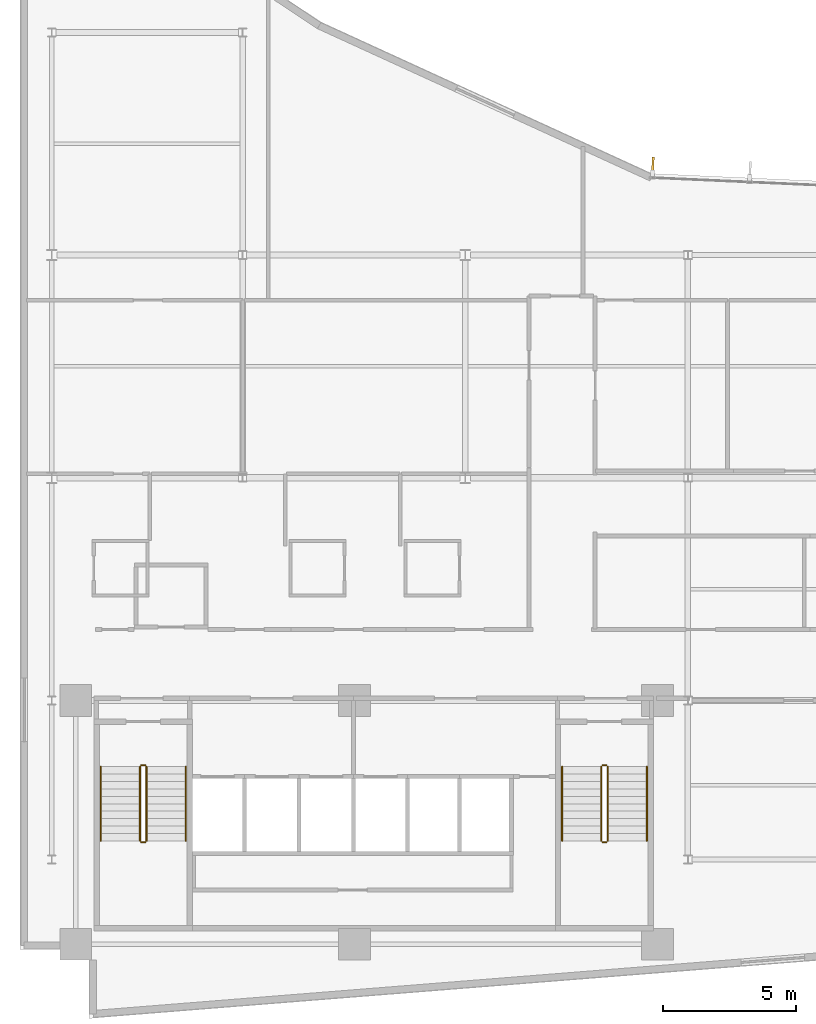
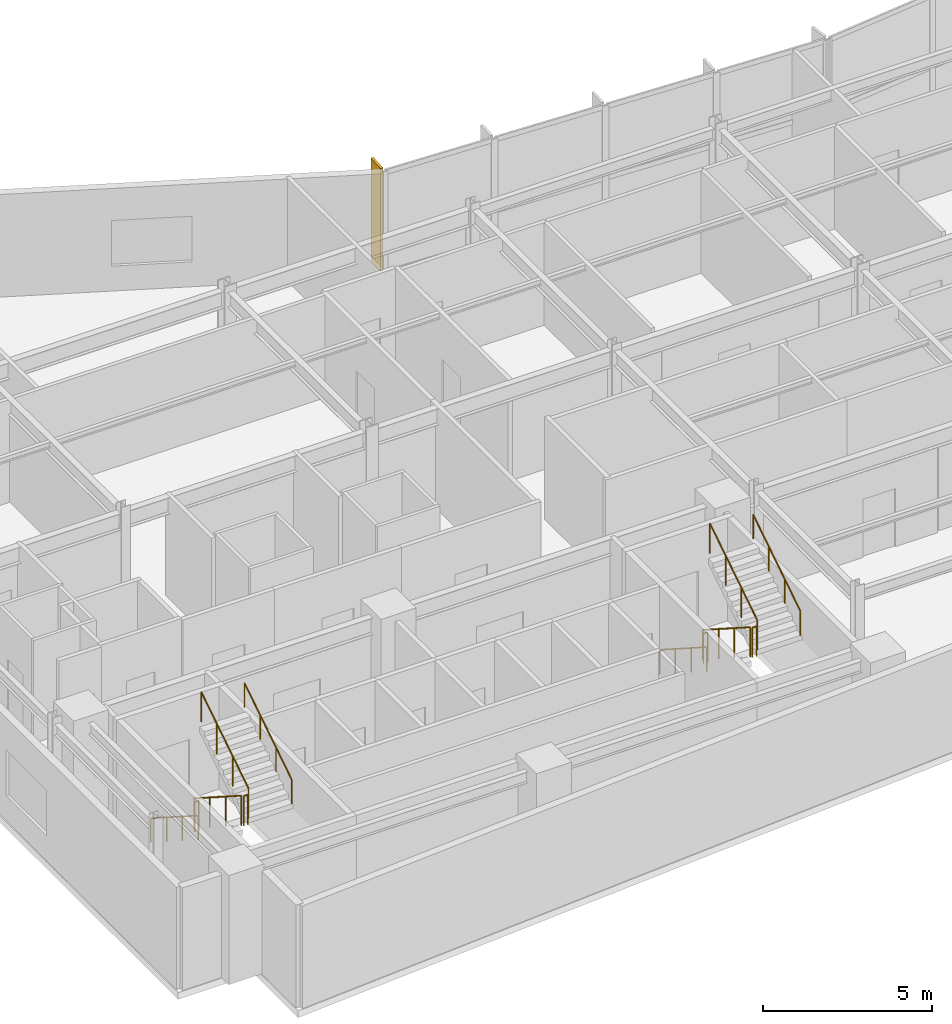
# One storey, part 14 of 18: 12 railings, 1 shading device.
"""IFC4 building model written with IfcOpenShell, lengths in metres."""

from ifc_helpers import new_model, si_unit, direction, frame, origin, origin_2d, place, context, subcontext, project, spatial, rectangle, circle, extrude, material, layer, layer_set, type_object, element, save


model = new_model("IFC4")

# Units and contexts
model_context = context("Model", 3, precision=1e-05, world=origin(), true_north=direction((0.0, 1.0)))
body_context = subcontext(model_context, "Body", "Model", "MODEL_VIEW")
ifc_project = project(units=[si_unit("LENGTHUNIT", "METRE"), si_unit("AREAUNIT", "SQUARE_METRE"), si_unit("VOLUMEUNIT", "CUBIC_METRE"), si_unit("PLANEANGLEUNIT", "RADIAN"), si_unit("MASSUNIT", "GRAM", prefix="KILO")], contexts=[model_context])

# Site, building, storey
site_placement = place(None, origin())
site = spatial("IfcSite", under=ifc_project, at=site_placement, CompositionType="ELEMENT")
building_placement = place(site_placement, origin())
building = spatial("IfcBuilding", under=site, at=building_placement, Name="Varnakote Quay Hospital", CompositionType="ELEMENT")
storey_placement = place(building_placement, frame((0.0, 0.0, 154.699951171875)))
storey = spatial("IfcBuildingStorey", under=building, at=storey_placement, Name="L38", CompositionType="ELEMENT", Elevation=154.699951171875)

# Railings
ifc_material_1 = material(Name="Brushed stainless steel balustrade", Category="steel")
railing_type_1 = type_object("IfcRailingType", Name="RLG-STAIR-GUARD-1150", PredefinedType="GUARDRAIL", material=ifc_material_1)
railing_1_placement = place(storey_placement, frame((4.530029296875, 9.5, 0.1796875)))
element("IfcRailing", 1, at=railing_1_placement, inside=storey, type_object=railing_type_1, Name="L38 ST-01 stair guard 1", PredefinedType="GUARDRAIL", context=body_context, shape_type="SweptSolid", body=[
    extrude(circle(Radius=0.02392578125, at=origin_2d()), frame((0.0, 0.0, 1.076171875), z_axis=(0.0, -0.841809871826, 0.539774156196), x_axis=(1.0, 0.0, 0.0)), (0.0, 0.0, 1.0), 3.326171875),
    extrude(circle(Radius=0.02099609375, at=origin_2d()), origin(), (0.0, 0.0, 1.0), 1.052001953125),
    extrude(circle(Radius=0.02099609375, at=origin_2d()), frame((0.0, -0.933349609375, 0.598388671875)), (0.0, 0.0, 1.0), 1.052001953125),
    extrude(circle(Radius=0.02099609375, at=origin_2d()), frame((0.0, -1.86669921875, 1.197021484375)), (0.0, 0.0, 1.0), 1.052001953125),
    extrude(circle(Radius=0.02099609375, at=origin_2d()), frame((0.0, -2.800048828125, 1.79541015625)), (0.0, 0.0, 1.0), 1.052001953125),
])
railing_2_placement = place(storey_placement, frame((4.580078125, 6.64990234375, 1.97509765625)))
element("IfcRailing", 2, at=railing_2_placement, inside=storey, type_object=railing_type_1, Name="L38 ST-01 stair guard 2", PredefinedType="GUARDRAIL", context=body_context, shape_type="SweptSolid", body=[
    extrude(circle(Radius=0.02392578125, at=origin_2d()), frame((0.0, 0.0, 1.076171875), z_axis=(1.0, 0.0, 0.0), x_axis=(0.0, 1.0, 0.0)), (0.0, 0.0, 1.0), 0.139892578125),
    extrude(circle(Radius=0.02099609375, at=origin_2d()), origin(), (0.0, 0.0, 1.0), 1.052001953125),
    extrude(circle(Radius=0.02099609375, at=origin_2d()), frame((0.139892578125, 0.0, 0.0)), (0.0, 0.0, 1.0), 1.052001953125),
])
railing_3_placement = place(storey_placement, frame((4.77001953125, 6.699951171875, 2.154541015625)))
element("IfcRailing", 3, at=railing_3_placement, inside=storey, type_object=railing_type_1, Name="L38 ST-01 stair guard 3", PredefinedType="GUARDRAIL", context=body_context, shape_type="SweptSolid", body=[
    extrude(circle(Radius=0.02392578125, at=origin_2d()), frame((0.0, 0.0, 1.076171875), z_axis=(0.0, 0.841809871826, 0.539774156196), x_axis=(-1.0, 0.0, 0.0)), (0.0, 0.0, 1.0), 3.326171875),
    extrude(circle(Radius=0.02099609375, at=origin_2d()), origin(), (0.0, 0.0, 1.0), 1.052001953125),
    extrude(circle(Radius=0.02099609375, at=origin_2d()), frame((0.0, 0.933349609375, 0.598388671875)), (0.0, 0.0, 1.0), 1.052001953125),
    extrude(circle(Radius=0.02099609375, at=origin_2d()), frame((0.0, 1.86669921875, 1.197021484375)), (0.0, 0.0, 1.0), 1.052001953125),
    extrude(circle(Radius=0.02099609375, at=origin_2d()), frame((0.0, 2.800048828125, 1.79541015625)), (0.0, 0.0, 1.0), 1.052001953125),
])
railing_4_placement = place(storey_placement, frame((4.580078125, 9.550048828125, 0.0)))
element("IfcRailing", 4, at=railing_4_placement, inside=storey, type_object=railing_type_1, Name="L38 ST-01 stair guard 4", PredefinedType="GUARDRAIL", context=body_context, shape_type="SweptSolid", body=[
    extrude(circle(Radius=0.02392578125, at=origin_2d()), frame((0.0, 0.0, 1.076171875), z_axis=(1.0, 0.0, 0.0), x_axis=(0.0, 1.0, 0.0)), (0.0, 0.0, 1.0), 0.139892578125),
    extrude(circle(Radius=0.02099609375, at=origin_2d()), origin(), (0.0, 0.0, 1.0), 1.052001953125),
    extrude(circle(Radius=0.02099609375, at=origin_2d()), frame((0.139892578125, 0.0, 0.0)), (0.0, 0.0, 1.0), 1.052001953125),
])
railing_5_placement = place(storey_placement, frame((21.929931640625, 9.5, 0.1796875)))
element("IfcRailing", 5, at=railing_5_placement, inside=storey, type_object=railing_type_1, Name="L38 ST-02 stair guard 1", PredefinedType="GUARDRAIL", context=body_context, shape_type="SweptSolid", body=[
    extrude(circle(Radius=0.02392578125, at=origin_2d()), frame((0.0, 0.0, 1.076171875), z_axis=(0.0, -0.841809871826, 0.539774156196), x_axis=(1.0, 0.0, 0.0)), (0.0, 0.0, 1.0), 3.326171875),
    extrude(circle(Radius=0.02099609375, at=origin_2d()), origin(), (0.0, 0.0, 1.0), 1.052001953125),
    extrude(circle(Radius=0.02099609375, at=origin_2d()), frame((0.0, -0.933349609375, 0.598388671875)), (0.0, 0.0, 1.0), 1.052001953125),
    extrude(circle(Radius=0.02099609375, at=origin_2d()), frame((0.0, -1.86669921875, 1.197021484375)), (0.0, 0.0, 1.0), 1.052001953125),
    extrude(circle(Radius=0.02099609375, at=origin_2d()), frame((0.0, -2.800048828125, 1.79541015625)), (0.0, 0.0, 1.0), 1.052001953125),
])
railing_6_placement = place(storey_placement, frame((21.97998046875, 6.64990234375, 1.97509765625)))
element("IfcRailing", 6, at=railing_6_placement, inside=storey, type_object=railing_type_1, Name="L38 ST-02 stair guard 2", PredefinedType="GUARDRAIL", context=body_context, shape_type="SweptSolid", body=[
    extrude(circle(Radius=0.02392578125, at=origin_2d()), frame((0.0, 0.0, 1.076171875), z_axis=(1.0, 0.0, 0.0), x_axis=(0.0, 1.0, 0.0)), (0.0, 0.0, 1.0), 0.14013671875),
    extrude(circle(Radius=0.02099609375, at=origin_2d()), origin(), (0.0, 0.0, 1.0), 1.052001953125),
    extrude(circle(Radius=0.02099609375, at=origin_2d()), frame((0.14013671875, 0.0, 0.0)), (0.0, 0.0, 1.0), 1.052001953125),
])
railing_7_placement = place(storey_placement, frame((22.169921875, 6.699951171875, 2.154541015625)))
element("IfcRailing", 7, at=railing_7_placement, inside=storey, type_object=railing_type_1, Name="L38 ST-02 stair guard 3", PredefinedType="GUARDRAIL", context=body_context, shape_type="SweptSolid", body=[
    extrude(circle(Radius=0.02392578125, at=origin_2d()), frame((0.0, 0.0, 1.076171875), z_axis=(0.0, 0.841809871826, 0.539774156196), x_axis=(-1.0, 0.0, 0.0)), (0.0, 0.0, 1.0), 3.326171875),
    extrude(circle(Radius=0.02099609375, at=origin_2d()), origin(), (0.0, 0.0, 1.0), 1.052001953125),
    extrude(circle(Radius=0.02099609375, at=origin_2d()), frame((0.0, 0.933349609375, 0.598388671875)), (0.0, 0.0, 1.0), 1.052001953125),
    extrude(circle(Radius=0.02099609375, at=origin_2d()), frame((0.0, 1.86669921875, 1.197021484375)), (0.0, 0.0, 1.0), 1.052001953125),
    extrude(circle(Radius=0.02099609375, at=origin_2d()), frame((0.0, 2.800048828125, 1.79541015625)), (0.0, 0.0, 1.0), 1.052001953125),
])
railing_8_placement = place(storey_placement, frame((21.97998046875, 9.550048828125, 0.0)))
element("IfcRailing", 8, at=railing_8_placement, inside=storey, type_object=railing_type_1, Name="L38 ST-02 stair guard 4", PredefinedType="GUARDRAIL", context=body_context, shape_type="SweptSolid", body=[
    extrude(circle(Radius=0.02392578125, at=origin_2d()), frame((0.0, 0.0, 1.076171875), z_axis=(1.0, 0.0, 0.0), x_axis=(0.0, 1.0, 0.0)), (0.0, 0.0, 1.0), 0.14013671875),
    extrude(circle(Radius=0.02099609375, at=origin_2d()), origin(), (0.0, 0.0, 1.0), 1.052001953125),
    extrude(circle(Radius=0.02099609375, at=origin_2d()), frame((0.14013671875, 0.0, 0.0)), (0.0, 0.0, 1.0), 1.052001953125),
])
ifc_material_2 = material(Name="Brushed stainless steel handrail", Category="steel")
railing_type_2 = type_object("IfcRailingType", Name="RLG-STAIR-HND-920", PredefinedType="HANDRAIL", material=ifc_material_2)
railing_9_placement = place(storey_placement, frame((3.050048828125, 9.5, 0.1796875)))
element("IfcRailing", 9, at=railing_9_placement, inside=storey, type_object=railing_type_2, Name="L38 ST-01 stair handrail 1", PredefinedType="HANDRAIL", context=body_context, shape_type="SweptSolid", body=[
    extrude(circle(Radius=0.02392578125, at=origin_2d()), frame((0.0, 0.0, 0.8759765625), z_axis=(0.0, -0.841809871826, 0.539774156196), x_axis=(1.0, 0.0, 0.0)), (0.0, 0.0, 1.0), 3.326171875),
    extrude(circle(Radius=0.02099609375, at=origin_2d()), origin(), (0.0, 0.0, 1.0), 0.851806640625),
    extrude(circle(Radius=0.02099609375, at=origin_2d()), frame((0.0, -0.933349609375, 0.598388671875)), (0.0, 0.0, 1.0), 0.851806640625),
    extrude(circle(Radius=0.02099609375, at=origin_2d()), frame((0.0, -1.86669921875, 1.197021484375)), (0.0, 0.0, 1.0), 0.851806640625),
    extrude(circle(Radius=0.02099609375, at=origin_2d()), frame((0.0, -2.800048828125, 1.79541015625)), (0.0, 0.0, 1.0), 0.851806640625),
])
railing_10_placement = place(storey_placement, frame((6.25, 6.699951171875, 2.154541015625)))
element("IfcRailing", 10, at=railing_10_placement, inside=storey, type_object=railing_type_2, Name="L38 ST-01 stair handrail 2", PredefinedType="HANDRAIL", context=body_context, shape_type="SweptSolid", body=[
    extrude(circle(Radius=0.02392578125, at=origin_2d()), frame((0.0, 0.0, 0.8759765625), z_axis=(0.0, 0.841809871826, 0.539774156196), x_axis=(-1.0, 0.0, 0.0)), (0.0, 0.0, 1.0), 3.326171875),
    extrude(circle(Radius=0.02099609375, at=origin_2d()), origin(), (0.0, 0.0, 1.0), 0.851806640625),
    extrude(circle(Radius=0.02099609375, at=origin_2d()), frame((0.0, 0.933349609375, 0.598388671875)), (0.0, 0.0, 1.0), 0.851806640625),
    extrude(circle(Radius=0.02099609375, at=origin_2d()), frame((0.0, 1.86669921875, 1.197021484375)), (0.0, 0.0, 1.0), 0.851806640625),
    extrude(circle(Radius=0.02099609375, at=origin_2d()), frame((0.0, 2.800048828125, 1.79541015625)), (0.0, 0.0, 1.0), 0.851806640625),
])
railing_11_placement = place(storey_placement, frame((20.449951171875, 9.5, 0.1796875)))
element("IfcRailing", 11, at=railing_11_placement, inside=storey, type_object=railing_type_2, Name="L38 ST-02 stair handrail 1", PredefinedType="HANDRAIL", context=body_context, shape_type="SweptSolid", body=[
    extrude(circle(Radius=0.02392578125, at=origin_2d()), frame((0.0, 0.0, 0.8759765625), z_axis=(0.0, -0.841809871826, 0.539774156196), x_axis=(1.0, 0.0, 0.0)), (0.0, 0.0, 1.0), 3.326171875),
    extrude(circle(Radius=0.02099609375, at=origin_2d()), origin(), (0.0, 0.0, 1.0), 0.851806640625),
    extrude(circle(Radius=0.02099609375, at=origin_2d()), frame((0.0, -0.933349609375, 0.598388671875)), (0.0, 0.0, 1.0), 0.851806640625),
    extrude(circle(Radius=0.02099609375, at=origin_2d()), frame((0.0, -1.86669921875, 1.197021484375)), (0.0, 0.0, 1.0), 0.851806640625),
    extrude(circle(Radius=0.02099609375, at=origin_2d()), frame((0.0, -2.800048828125, 1.79541015625)), (0.0, 0.0, 1.0), 0.851806640625),
])
railing_12_placement = place(storey_placement, frame((23.64990234375, 6.699951171875, 2.154541015625)))
element("IfcRailing", 12, at=railing_12_placement, inside=storey, type_object=railing_type_2, Name="L38 ST-02 stair handrail 2", PredefinedType="HANDRAIL", context=body_context, shape_type="SweptSolid", body=[
    extrude(circle(Radius=0.02392578125, at=origin_2d()), frame((0.0, 0.0, 0.8759765625), z_axis=(0.0, 0.841809871826, 0.539774156196), x_axis=(-1.0, 0.0, 0.0)), (0.0, 0.0, 1.0), 3.326171875),
    extrude(circle(Radius=0.02099609375, at=origin_2d()), origin(), (0.0, 0.0, 1.0), 0.851806640625),
    extrude(circle(Radius=0.02099609375, at=origin_2d()), frame((0.0, 0.933349609375, 0.598388671875)), (0.0, 0.0, 1.0), 0.851806640625),
    extrude(circle(Radius=0.02099609375, at=origin_2d()), frame((0.0, 1.86669921875, 1.197021484375)), (0.0, 0.0, 1.0), 0.851806640625),
    extrude(circle(Radius=0.02099609375, at=origin_2d()), frame((0.0, 2.800048828125, 1.79541015625)), (0.0, 0.0, 1.0), 0.851806640625),
])

# Shading device
ifc_material_3 = material(Name="Anodised aluminium 6063-T6 Bronze", Category="aluminium")
ifc_layer = layer(ifc_material_3, 0.0849609375)
ifc_layer_set = layer_set([ifc_layer], Name="Anodised aluminium 6063-T6 Bronze")
shading_device_type = type_object("IfcShadingDeviceType", Name="SHD-BRONZE-FIN-620", PredefinedType="USERDEFINED", material=ifc_layer_set)
shading_device_placement = place(storey_placement, frame((23.876220703125, 32.183349609375, 0.0), z_axis=(0.0, 0.0, 1.0), x_axis=(-0.044839922168, -0.998994184858, 0.0)))
element("IfcShadingDevice", 13, at=shading_device_placement, inside=storey, type_object=shading_device_type, Name="L38 Anodised Bronze Vertical Shading FIN", ObjectType="FIN", PredefinedType="USERDEFINED", context=body_context, shape_type="SweptSolid", body=[
    extrude(rectangle(XDim=0.6201171875, YDim=0.0849609375, at=origin_2d()), origin(), (0.0, 0.0, 1.0), 3.7099609375),
])

save(model, "model.ifc")
